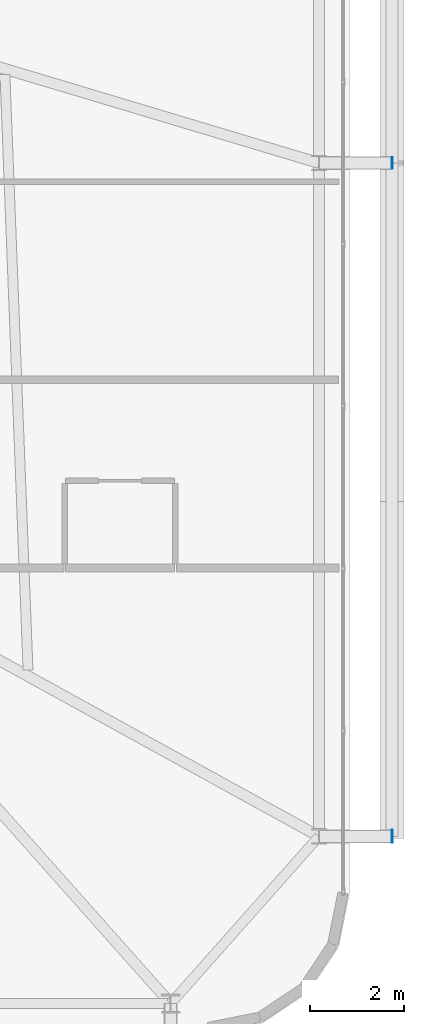
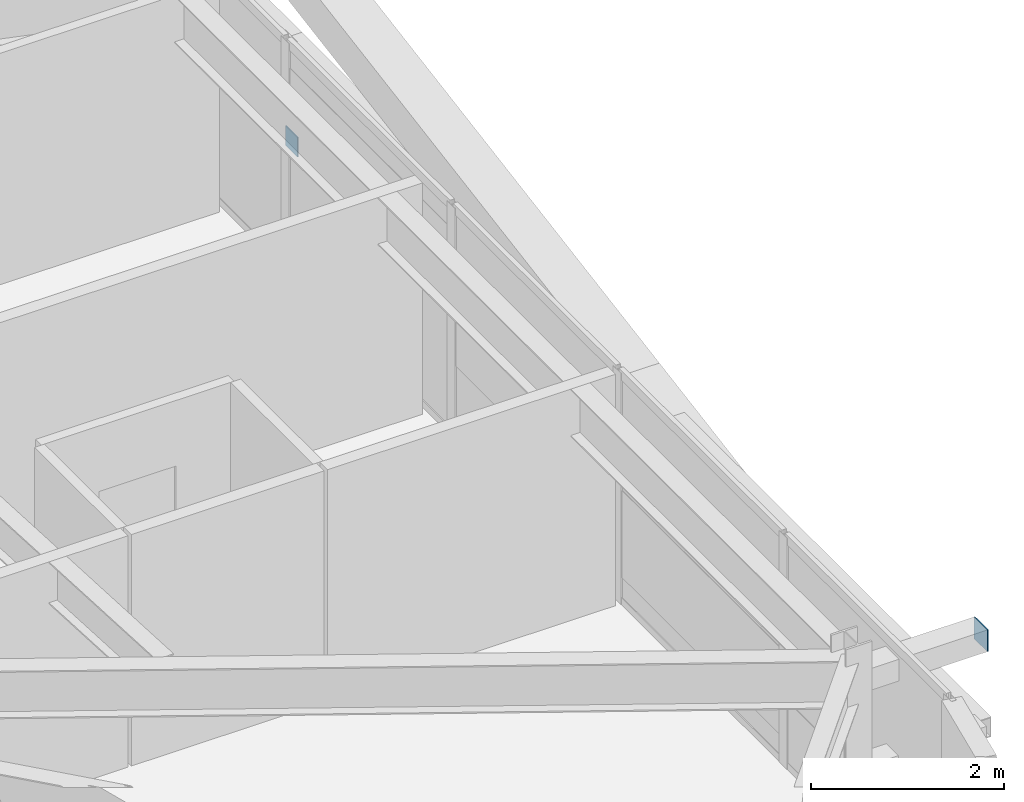
# One storey, part 48 of 59: 2 plates.
"""IFC4 building model written with IfcOpenShell, lengths in metres."""

from ifc_helpers import new_model, si_unit, direction, frame, origin, origin_2d, place, context, subcontext, project, spatial, rectangle, extrude, source, transform, mapped, material, layer, layer_set, type_object, element, save


model = new_model("IFC4")

# Units and contexts
model_context = context("Model", 3, precision=1e-05, world=origin(), true_north=direction((0.0, 1.0)))
body_context = subcontext(model_context, "Body", "Model", "MODEL_VIEW")
ifc_project = project(units=[si_unit("LENGTHUNIT", "METRE"), si_unit("AREAUNIT", "SQUARE_METRE"), si_unit("VOLUMEUNIT", "CUBIC_METRE"), si_unit("PLANEANGLEUNIT", "RADIAN"), si_unit("MASSUNIT", "GRAM", prefix="KILO")], contexts=[model_context])

# Site, building, storey
site_placement = place(None, origin())
site = spatial("IfcSite", under=ifc_project, at=site_placement, CompositionType="ELEMENT")
building_placement = place(site_placement, origin())
building = spatial("IfcBuilding", under=site, at=building_placement, Name="Taldren Reach Tower", CompositionType="ELEMENT")
storey_placement = place(building_placement, frame((0.0, 0.0, 23.10009765625)))
storey = spatial("IfcBuildingStorey", under=building, at=storey_placement, Name="L06", CompositionType="ELEMENT", Elevation=23.10009765625)

# Plates
ifc_material_1 = material(Name="Steel Gr 450 (C450L0)", Category="steel")
ifc_layer_1 = layer(ifc_material_1, 0.011962890625)
ifc_layer_set_1 = layer_set([ifc_layer_1], Name="Steel Gr 450 (C450L0)")
plate_type_1 = type_object("IfcPlateType", Name="PL-CAP-275", PredefinedType="SHEET", material=ifc_layer_set_1)
shared_shape_1 = source(origin(), body_context, "Body", "SweptSolid", [
    extrude(rectangle(XDim=0.011962890625, YDim=0.27490234375, at=origin_2d()), origin(), (0.0, 0.0, 1.0), 0.27490234375),
])
plate_1_placement = place(storey_placement, frame((65.906005859375, 5.699951171875, 2.512451171875), z_axis=(0.0, 0.0, 1.0), x_axis=(1.0, 0.0, 0.0)))
element("IfcPlate", 1, at=plate_1_placement, inside=storey, type_object=plate_type_1, Name="Tie strut end cap plate B1-E1 L06", PredefinedType="SHEET", context=body_context, shape_type="MappedRepresentation", body=[
    mapped(shared_shape_1, transform((0.0, 0.0, 0.0), scale=1.0)),
])
ifc_material_2 = material(Name="Steel Gr 350 (C350L0)", Category="steel")
ifc_layer_2 = layer(ifc_material_2, 0.011962890625)
ifc_layer_set_2 = layer_set([ifc_layer_2], Name="Steel Gr 350 (C350L0)")
plate_type_2 = type_object("IfcPlateType", Name="PL-CAP-250", PredefinedType="SHEET", material=ifc_layer_set_2)
shared_shape_2 = source(origin(), body_context, "Body", "SweptSolid", [
    extrude(rectangle(XDim=0.011962890625, YDim=0.25, at=origin_2d()), origin(), (0.0, 0.0, 1.0), 0.25),
])
plate_2_placement = place(storey_placement, frame((65.906005859375, 20.0, 0.094970703125), z_axis=(0.0, 0.0, 1.0), x_axis=(1.0, 0.0, 0.0)))
element("IfcPlate", 2, at=plate_2_placement, inside=storey, type_object=plate_type_2, Name="Tie strut end cap plate B1-E2 L06", PredefinedType="SHEET", context=body_context, shape_type="MappedRepresentation", body=[
    mapped(shared_shape_2, transform((0.0, 0.0, 0.0), scale=1.0)),
])

save(model, "model.ifc")
